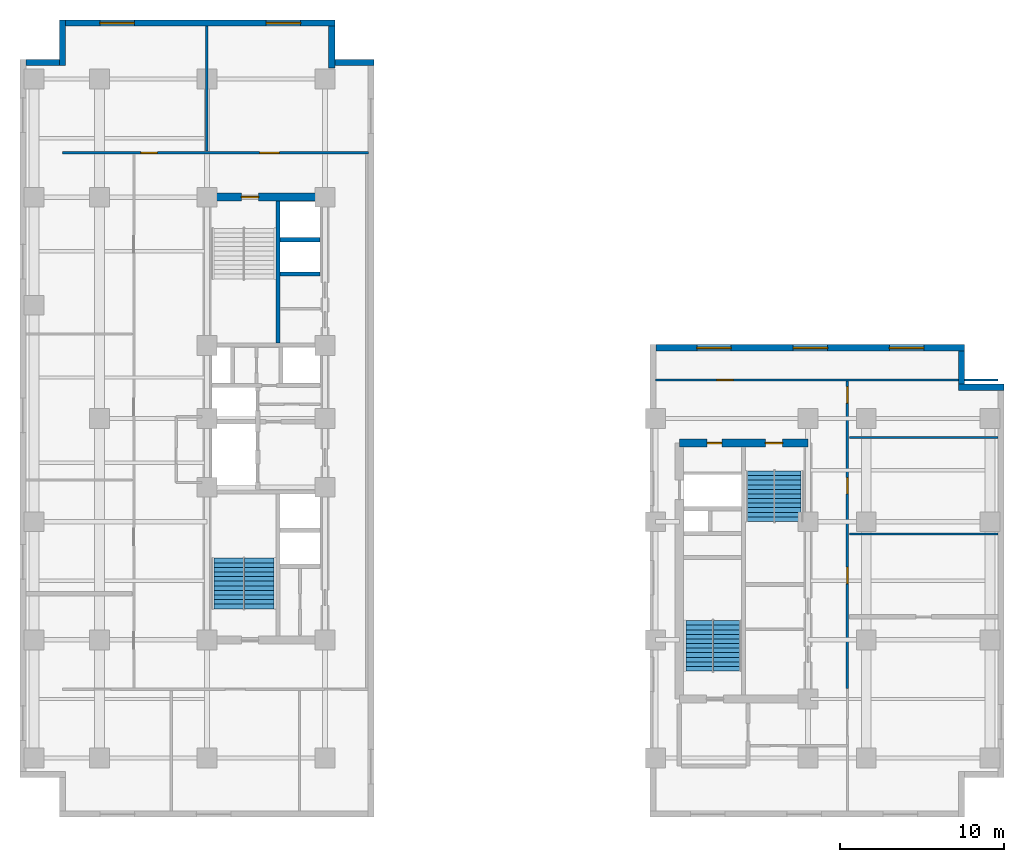
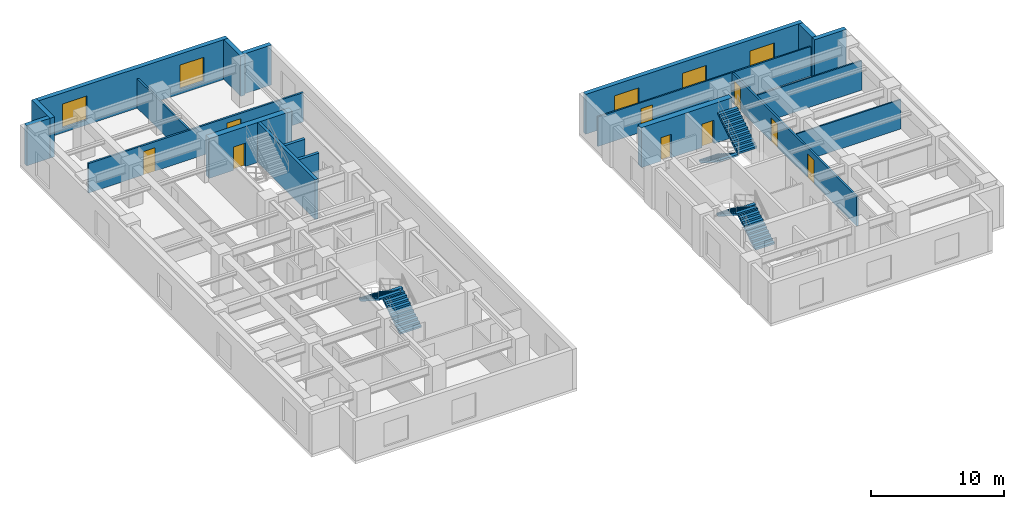
# One storey, part 5 of 9: 19 walls, 9 doors, 6 stair flights, 5 windows, 14 openings, 3 elements without a shape of their own.
"""IFC4 building model written with IfcOpenShell, lengths in metres."""

from ifc_helpers import new_model, entity, si_unit, converted_unit, direction, frame, origin_with_axes, origin_2d_with_axis, place, context, subcontext, project, spatial, polyline, rectangle, outline, extrude, material, layer, layer_set, type_object, element, fill, aggregate, save


model = new_model("IFC4")

# Units and contexts
model_context = context("Model", 3, precision=1e-05, world=origin_with_axes(), true_north=direction((0.0, 1.0)))
body_context = subcontext(model_context, "Body", "Model", "MODEL_VIEW")
ifc_project = project(units=[si_unit("LENGTHUNIT", "METRE"), si_unit("AREAUNIT", "SQUARE_METRE"), si_unit("VOLUMEUNIT", "CUBIC_METRE"), converted_unit("PLANEANGLEUNIT", "DEGREE", entity("IfcPlaneAngleMeasure", 0.017453292519943295), si_unit("PLANEANGLEUNIT", "RADIAN"), dimensions=[0, 0, 0, 0, 0, 0, 0]), si_unit("MASSUNIT", "GRAM", prefix="KILO"), si_unit("THERMODYNAMICTEMPERATUREUNIT", "KELVIN")], contexts=[model_context])

# Site, building, storey
site_placement = place(None, origin_with_axes())
site = spatial("IfcSite", under=ifc_project, at=site_placement, CompositionType="ELEMENT")
building_placement = place(site_placement, origin_with_axes())
building = spatial("IfcBuilding", under=site, at=building_placement, Name="Varnlund Millrace Tower", CompositionType="ELEMENT")
storey_placement = place(building_placement, frame((0.0, 0.0, 93.0), z_axis=(0.0, 0.0, 1.0), x_axis=(1.0, 0.0, 0.0)))
storey = spatial("IfcBuildingStorey", under=building, at=storey_placement, Name="L22", CompositionType="ELEMENT", Elevation=93.0)

# Wall, opening, door
ifc_material_1 = material(Name="Concrete C70/85", Category="concrete")
ifc_layer_1 = layer(ifc_material_1, 0.5, Name="Concrete C70/85")
ifc_layer_set_1 = layer_set([ifc_layer_1], Name="Concrete C70/85")
wall_type_1 = type_object("IfcWallType", Name="Type-CoreWall-Shear-500-C70", PredefinedType="SHEAR", material=ifc_layer_set_1)
wall_1_placement = place(storey_placement, frame((11.4, 37.8, 0.0), z_axis=(0.0, 0.0, 1.0), x_axis=(1.0, 0.0, 0.0)))
wall_1 = element("IfcWall", 1, at=wall_1_placement, inside=storey, type_object=wall_type_1, Name="Type-CoreWall-Shear-500-C70", PredefinedType="SHEAR", context=body_context, shape_type="SweptSolid", body=[
    extrude(outline(polyline([(0.0, -0.25), (7.2, -0.25), (7.2, 0.25), (0.0, 0.25), (0.0, -0.25)])), origin_with_axes(), (0.0, 0.0, 1.0), 3.66),
])
opening_1_placement = place(wall_1_placement, frame((2.625, 0.0, 0.0), z_axis=(0.0, 0.0, 1.0), x_axis=(1.0, 0.0, 0.0)))
opening_1 = element("IfcOpeningElement", 2, at=opening_1_placement, cuts=wall_1, Name="Opening L22:DR-STA2", PredefinedType="OPENING", context=body_context, shape_type="SweptSolid", body=[
    extrude(rectangle(XDim=1.05, YDim=0.52, at=origin_2d_with_axis()), origin_with_axes(), (0.0, 0.0, 1.0), 2.15),
])
ifc_material_2 = material(Name="Fire-rated hollow steel door", Category="steel")
door_type_1 = type_object("IfcDoorType", Name="Type-FireDoor-Stair-1050X2150", OperationType="NOTDEFINED", PredefinedType="DOOR", material=ifc_material_2)
door_1_placement = place(wall_1_placement, frame((2.625, 0.0, 0.0), z_axis=(0.0, 0.0, 1.0), x_axis=(1.0, 0.0, 0.0)))
door_1 = element("IfcDoor", 3, at=door_1_placement, inside=storey, type_object=door_type_1, Name="Type-FireDoor-Stair-1050X2150", OperationType="SINGLE_SWING_RIGHT", OverallHeight=2.15, OverallWidth=1.05, PredefinedType="DOOR", context=body_context, shape_type="SweptSolid", body=[
    extrude(rectangle(XDim=1.05, YDim=0.09, at=origin_2d_with_axis()), origin_with_axes(), (0.0, 0.0, 1.0), 2.15),
])
fill(opening_1, door_1)

# Wall, openings, doors
wall_2_placement = place(storey_placement, frame((40.2, 22.8, 0.0), z_axis=(0.0, 0.0, 1.0), x_axis=(1.0, 0.0, 0.0)))
wall_2 = element("IfcWall", 4, at=wall_2_placement, inside=storey, type_object=wall_type_1, Name="Type-CoreWall-Shear-500-C70", PredefinedType="SHEAR", context=body_context, shape_type="SweptSolid", body=[
    extrude(outline(polyline([(0.0, -0.25), (7.85, -0.25), (7.85, 0.25), (0.0, 0.25), (0.0, -0.25)])), origin_with_axes(), (0.0, 0.0, 1.0), 3.66),
])
opening_2_placement = place(wall_2_placement, frame((5.775, 0.0, 0.0), z_axis=(0.0, 0.0, 1.0), x_axis=(1.0, 0.0, 0.0)))
opening_2 = element("IfcOpeningElement", 5, at=opening_2_placement, cuts=wall_2, Name="Opening L22:DR-STB2", PredefinedType="OPENING", context=body_context, shape_type="SweptSolid", body=[
    extrude(rectangle(XDim=1.05, YDim=0.52, at=origin_2d_with_axis()), origin_with_axes(), (0.0, 0.0, 1.0), 2.15),
])
opening_3_placement = place(wall_2_placement, frame((2.15, 0.0, 0.0), z_axis=(0.0, 0.0, 1.0), x_axis=(1.0, 0.0, 0.0)))
opening_3 = element("IfcOpeningElement", 6, at=opening_3_placement, cuts=wall_2, Name="Opening L22:DR-CB-NW", PredefinedType="OPENING", context=body_context, shape_type="SweptSolid", body=[
    extrude(rectangle(XDim=0.9, YDim=0.52, at=origin_2d_with_axis()), origin_with_axes(), (0.0, 0.0, 1.0), 2.15),
])
ifc_material_3 = material(Name="Fire-rated hollow steel service closet door", Category="steel")
door_type_2 = type_object("IfcDoorType", Name="Type-FireDoor-Closet-900X2150", OperationType="NOTDEFINED", PredefinedType="DOOR", material=ifc_material_3)
door_2_placement = place(wall_2_placement, frame((2.15, 0.0, 0.0), z_axis=(0.0, 0.0, 1.0), x_axis=(1.0, 0.0, 0.0)))
door_2 = element("IfcDoor", 7, at=door_2_placement, inside=storey, type_object=door_type_2, Name="Type-FireDoor-Closet-900X2150", OperationType="SINGLE_SWING_LEFT", OverallHeight=2.15, OverallWidth=0.9, PredefinedType="DOOR", context=body_context, shape_type="SweptSolid", body=[
    extrude(rectangle(XDim=0.9, YDim=0.09, at=origin_2d_with_axis()), origin_with_axes(), (0.0, 0.0, 1.0), 2.15),
])
fill(opening_3, door_2)
door_3_placement = place(wall_2_placement, frame((5.775, 0.0, 0.0), z_axis=(0.0, 0.0, 1.0), x_axis=(1.0, 0.0, 0.0)))
door_3 = element("IfcDoor", 8, at=door_3_placement, inside=storey, type_object=door_type_1, Name="Type-FireDoor-Stair-1050X2150", OperationType="SINGLE_SWING_RIGHT", OverallHeight=2.15, OverallWidth=1.05, PredefinedType="DOOR", context=body_context, shape_type="SweptSolid", body=[
    extrude(rectangle(XDim=1.05, YDim=0.09, at=origin_2d_with_axis()), origin_with_axes(), (0.0, 0.0, 1.0), 2.15),
])
fill(opening_2, door_3)

# Walls
ifc_material_4 = material(Name="Precast concrete C50/60", Category="concrete")
ifc_layer_2 = layer(ifc_material_4, 0.38, Name="Precast concrete C50/60")
ifc_layer_set_2 = layer_set([ifc_layer_2], Name="Precast concrete C50/60")
wall_type_2 = type_object("IfcWallType", Name="Type-ExtWall-Precast-Tube-380", PredefinedType="SOLIDWALL", material=ifc_layer_set_2)
wall_3_placement = place(storey_placement, frame((0.38, 46.01, 0.0), z_axis=(0.0, 0.0, 1.0), x_axis=(1.0, 0.0, 0.0)))
element("IfcWall", 9, at=wall_3_placement, inside=storey, type_object=wall_type_2, Name="Type-ExtWall-Precast-Tube-380", PredefinedType="SOLIDWALL", context=body_context, shape_type="SweptSolid", body=[
    extrude(outline(polyline([(0.0, -0.19), (2.02, -0.19), (2.02, 0.19), (0.0, 0.19), (0.0, -0.19)])), origin_with_axes(), (0.0, 0.0, 1.0), 3.66),
])
wall_4_placement = place(storey_placement, frame((2.59, 45.82, 0.0), z_axis=(0.0, 0.0, 1.0), x_axis=(0.0, 1.0, 0.0)))
element("IfcWall", 10, at=wall_4_placement, inside=storey, type_object=wall_type_2, Name="Type-ExtWall-Precast-Tube-380", PredefinedType="SOLIDWALL", context=body_context, shape_type="SweptSolid", body=[
    extrude(outline(polyline([(0.0, -0.19), (2.78, -0.19), (2.78, 0.19), (0.0, 0.19), (0.0, -0.19)])), origin_with_axes(), (0.0, 0.0, 1.0), 3.66),
])

# Wall, openings, windows
wall_5_placement = place(storey_placement, frame((2.78, 48.41, 0.0), z_axis=(0.0, 0.0, 1.0), x_axis=(1.0, 0.0, 0.0)))
wall_5 = element("IfcWall", 11, at=wall_5_placement, inside=storey, type_object=wall_type_2, Name="Type-ExtWall-Precast-Tube-380", PredefinedType="SOLIDWALL", context=body_context, shape_type="SweptSolid", body=[
    extrude(outline(polyline([(0.0, -0.19), (16.42, -0.19), (16.42, 0.19), (0.0, 0.19), (0.0, -0.19)])), origin_with_axes(), (0.0, 0.0, 1.0), 3.66),
])
opening_4_placement = place(wall_5_placement, frame((3.137, 0.0, 0.45), z_axis=(0.0, 0.0, 1.0), x_axis=(1.0, 0.0, 0.0)))
opening_4 = element("IfcOpeningElement", 12, at=opening_4_placement, cuts=wall_5, Name="Opening L22:WN-06", PredefinedType="OPENING", context=body_context, shape_type="SweptSolid", body=[
    extrude(rectangle(XDim=2.1, YDim=0.4, at=origin_2d_with_axis()), origin_with_axes(), (0.0, 0.0, 1.0), 2.2),
])
opening_5_placement = place(wall_5_placement, frame((13.283, 0.0, 0.45), z_axis=(0.0, 0.0, 1.0), x_axis=(1.0, 0.0, 0.0)))
opening_5 = element("IfcOpeningElement", 13, at=opening_5_placement, cuts=wall_5, Name="Opening L22:WN-07", PredefinedType="OPENING", context=body_context, shape_type="SweptSolid", body=[
    extrude(rectangle(XDim=2.1, YDim=0.4, at=origin_2d_with_axis()), origin_with_axes(), (0.0, 0.0, 1.0), 2.2),
])
ifc_material_5 = material(Name="Argon low-e triple glazing in thermally broken bronze frame", Category="glass")
window_type = type_object("IfcWindowType", Name="Type-Window-Punched-2100X2200", PartitioningType="SINGLE_PANEL", PredefinedType="WINDOW", material=ifc_material_5)
window_1_placement = place(wall_5_placement, frame((3.137, 0.0, 0.45), z_axis=(0.0, 0.0, 1.0), x_axis=(1.0, 0.0, 0.0)))
window_1 = element("IfcWindow", 14, at=window_1_placement, inside=storey, type_object=window_type, Name="Type-Window-Punched-2100X2200", OverallHeight=2.2, OverallWidth=2.1, PredefinedType="WINDOW", context=body_context, shape_type="SweptSolid", body=[
    extrude(rectangle(XDim=2.1, YDim=0.09, at=origin_2d_with_axis()), origin_with_axes(), (0.0, 0.0, 1.0), 2.2),
])
fill(opening_4, window_1)
window_2_placement = place(wall_5_placement, frame((13.283, 0.0, 0.45), z_axis=(0.0, 0.0, 1.0), x_axis=(1.0, 0.0, 0.0)))
window_2 = element("IfcWindow", 15, at=window_2_placement, inside=storey, type_object=window_type, Name="Type-Window-Punched-2100X2200", OverallHeight=2.2, OverallWidth=2.1, PredefinedType="WINDOW", context=body_context, shape_type="SweptSolid", body=[
    extrude(rectangle(XDim=2.1, YDim=0.09, at=origin_2d_with_axis()), origin_with_axes(), (0.0, 0.0, 1.0), 2.2),
])
fill(opening_5, window_2)

# Walls
wall_6_placement = place(storey_placement, frame((19.01, 48.22, 0.0), z_axis=(0.0, 0.0, 1.0), x_axis=(0.0, -1.0, 0.0)))
element("IfcWall", 16, at=wall_6_placement, inside=storey, type_object=wall_type_2, Name="Type-ExtWall-Precast-Tube-380", PredefinedType="SOLIDWALL", context=body_context, shape_type="SweptSolid", body=[
    extrude(outline(polyline([(0.0, -0.19), (2.56, -0.19), (2.56, 0.19), (0.0, 0.19), (0.0, -0.19)])), origin_with_axes(), (0.0, 0.0, 1.0), 3.66),
])
wall_7_placement = place(storey_placement, frame((18.82, 46.01, 0.0), z_axis=(0.0, 0.0, 1.0), x_axis=(1.0, 0.0, 0.0)))
element("IfcWall", 17, at=wall_7_placement, inside=storey, type_object=wall_type_2, Name="Type-ExtWall-Precast-Tube-380", PredefinedType="SOLIDWALL", context=body_context, shape_type="SweptSolid", body=[
    extrude(outline(polyline([(0.0, -0.19), (2.78, -0.19), (2.78, 0.19), (0.0, 0.19), (0.0, -0.19)])), origin_with_axes(), (0.0, 0.0, 1.0), 3.66),
])

# Wall, openings, windows
wall_8_placement = place(storey_placement, frame((38.78, 28.61, 0.0), z_axis=(0.0, 0.0, 1.0), x_axis=(1.0, 0.0, 0.0)))
wall_8 = element("IfcWall", 18, at=wall_8_placement, inside=storey, type_object=wall_type_2, Name="Type-ExtWall-Precast-Tube-380", PredefinedType="SOLIDWALL", context=body_context, shape_type="SweptSolid", body=[
    extrude(outline(polyline([(0.0, -0.19), (18.82, -0.19), (18.82, 0.19), (0.0, 0.19), (0.0, -0.19)])), origin_with_axes(), (0.0, 0.0, 1.0), 3.66),
])
opening_6_placement = place(wall_8_placement, frame((3.537, 0.0, 0.45), z_axis=(0.0, 0.0, 1.0), x_axis=(1.0, 0.0, 0.0)))
opening_6 = element("IfcOpeningElement", 19, at=opening_6_placement, cuts=wall_8, Name="Opening L22:WN-12", PredefinedType="OPENING", context=body_context, shape_type="SweptSolid", body=[
    extrude(rectangle(XDim=2.1, YDim=0.4, at=origin_2d_with_axis()), origin_with_axes(), (0.0, 0.0, 1.0), 2.2),
])
opening_7_placement = place(wall_8_placement, frame((9.41, 0.0, 0.45), z_axis=(0.0, 0.0, 1.0), x_axis=(1.0, 0.0, 0.0)))
opening_7 = element("IfcOpeningElement", 20, at=opening_7_placement, cuts=wall_8, Name="Opening L22:WN-13", PredefinedType="OPENING", context=body_context, shape_type="SweptSolid", body=[
    extrude(rectangle(XDim=2.1, YDim=0.4, at=origin_2d_with_axis()), origin_with_axes(), (0.0, 0.0, 1.0), 2.2),
])
opening_8_placement = place(wall_8_placement, frame((15.283, 0.0, 0.45), z_axis=(0.0, 0.0, 1.0), x_axis=(1.0, 0.0, 0.0)))
opening_8 = element("IfcOpeningElement", 21, at=opening_8_placement, cuts=wall_8, Name="Opening L22:WN-14", PredefinedType="OPENING", context=body_context, shape_type="SweptSolid", body=[
    extrude(rectangle(XDim=2.1, YDim=0.4, at=origin_2d_with_axis()), origin_with_axes(), (0.0, 0.0, 1.0), 2.2),
])
window_3_placement = place(wall_8_placement, frame((3.537, 0.0, 0.45), z_axis=(0.0, 0.0, 1.0), x_axis=(1.0, 0.0, 0.0)))
window_3 = element("IfcWindow", 22, at=window_3_placement, inside=storey, type_object=window_type, Name="Type-Window-Punched-2100X2200", OverallHeight=2.2, OverallWidth=2.1, PredefinedType="WINDOW", context=body_context, shape_type="SweptSolid", body=[
    extrude(rectangle(XDim=2.1, YDim=0.09, at=origin_2d_with_axis()), origin_with_axes(), (0.0, 0.0, 1.0), 2.2),
])
fill(opening_6, window_3)
window_4_placement = place(wall_8_placement, frame((9.41, 0.0, 0.45), z_axis=(0.0, 0.0, 1.0), x_axis=(1.0, 0.0, 0.0)))
window_4 = element("IfcWindow", 23, at=window_4_placement, inside=storey, type_object=window_type, Name="Type-Window-Punched-2100X2200", OverallHeight=2.2, OverallWidth=2.1, PredefinedType="WINDOW", context=body_context, shape_type="SweptSolid", body=[
    extrude(rectangle(XDim=2.1, YDim=0.09, at=origin_2d_with_axis()), origin_with_axes(), (0.0, 0.0, 1.0), 2.2),
])
fill(opening_7, window_4)
window_5_placement = place(wall_8_placement, frame((15.283, 0.0, 0.45), z_axis=(0.0, 0.0, 1.0), x_axis=(1.0, 0.0, 0.0)))
window_5 = element("IfcWindow", 24, at=window_5_placement, inside=storey, type_object=window_type, Name="Type-Window-Punched-2100X2200", OverallHeight=2.2, OverallWidth=2.1, PredefinedType="WINDOW", context=body_context, shape_type="SweptSolid", body=[
    extrude(rectangle(XDim=2.1, YDim=0.09, at=origin_2d_with_axis()), origin_with_axes(), (0.0, 0.0, 1.0), 2.2),
])
fill(opening_8, window_5)

# Walls
wall_9_placement = place(storey_placement, frame((57.41, 28.42, 0.0), z_axis=(0.0, 0.0, 1.0), x_axis=(0.0, -1.0, 0.0)))
element("IfcWall", 25, at=wall_9_placement, inside=storey, type_object=wall_type_2, Name="Type-ExtWall-Precast-Tube-380", PredefinedType="SOLIDWALL", context=body_context, shape_type="SweptSolid", body=[
    extrude(outline(polyline([(0.0, -0.19), (2.02, -0.19), (2.02, 0.19), (0.0, 0.19), (0.0, -0.19)])), origin_with_axes(), (0.0, 0.0, 1.0), 3.66),
])
wall_10_placement = place(storey_placement, frame((57.22, 26.21, 0.0), z_axis=(0.0, 0.0, 1.0), x_axis=(1.0, 0.0, 0.0)))
element("IfcWall", 26, at=wall_10_placement, inside=storey, type_object=wall_type_2, Name="Type-ExtWall-Precast-Tube-380", PredefinedType="SOLIDWALL", context=body_context, shape_type="SweptSolid", body=[
    extrude(outline(polyline([(0.0, -0.19), (2.78, -0.19), (2.78, 0.19), (0.0, 0.19), (0.0, -0.19)])), origin_with_axes(), (0.0, 0.0, 1.0), 3.66),
])

# Wall, openings, doors
ifc_material_6 = material(Name="Fire-rated gypsum board on cold-formed steel framing", Category="steel")
ifc_layer_3 = layer(ifc_material_6, 0.16, Name="Fire-rated gypsum board on cold-formed steel framing")
ifc_layer_set_3 = layer_set([ifc_layer_3], Name="Fire-rated gypsum board on cold-formed steel framing")
wall_type_3 = type_object("IfcWallType", Name="Type-Partition-Corridor-160", PredefinedType="PARTITIONING", material=ifc_layer_set_3)
wall_11_placement = place(storey_placement, frame((2.6, 40.5, 0.0), z_axis=(0.0, 0.0, 1.0), x_axis=(1.0, 0.0, 0.0)))
wall_11 = element("IfcWall", 27, at=wall_11_placement, inside=storey, type_object=wall_type_3, Name="Type-Partition-Corridor-160", PredefinedType="PARTITIONING", context=body_context, shape_type="SweptSolid", body=[
    extrude(outline(polyline([(0.0, -0.08), (18.65, -0.08), (18.65, 0.08), (0.0, 0.08), (0.0, -0.08)])), origin_with_axes(), (0.0, 0.0, 1.0), 2.7),
])
opening_9_placement = place(wall_11_placement, frame((5.275, 0.0, 0.0), z_axis=(0.0, 0.0, 1.0), x_axis=(1.0, 0.0, 0.0)))
opening_9 = element("IfcOpeningElement", 28, at=opening_9_placement, cuts=wall_11, Name="Opening L22:DR-WAN-01", PredefinedType="OPENING", context=body_context, shape_type="SweptSolid", body=[
    extrude(rectangle(XDim=1.0, YDim=0.18, at=origin_2d_with_axis()), origin_with_axes(), (0.0, 0.0, 1.0), 2.15),
])
opening_10_placement = place(wall_11_placement, frame((12.61, 0.0, 0.0), z_axis=(0.0, 0.0, 1.0), x_axis=(1.0, 0.0, 0.0)))
opening_10 = element("IfcOpeningElement", 29, at=opening_10_placement, cuts=wall_11, Name="Opening L22:DR-WAN-02", PredefinedType="OPENING", context=body_context, shape_type="SweptSolid", body=[
    extrude(rectangle(XDim=1.2, YDim=0.18, at=origin_2d_with_axis()), origin_with_axes(), (0.0, 0.0, 1.0), 2.2),
])
ifc_material_7 = material(Name="Wide executive white oak acoustic door")
door_type_3 = type_object("IfcDoorType", Name="Type-IntDoor-Exec-1200X2200", OperationType="NOTDEFINED", PredefinedType="DOOR", material=ifc_material_7)
door_4_placement = place(wall_11_placement, frame((12.61, 0.0, 0.0), z_axis=(0.0, 0.0, 1.0), x_axis=(1.0, 0.0, 0.0)))
door_4 = element("IfcDoor", 30, at=door_4_placement, inside=storey, type_object=door_type_3, Name="Type-IntDoor-Exec-1200X2200", OperationType="SINGLE_SWING_RIGHT", OverallHeight=2.2, OverallWidth=1.2, PredefinedType="DOOR", context=body_context, shape_type="SweptSolid", body=[
    extrude(rectangle(XDim=1.2, YDim=0.09, at=origin_2d_with_axis()), origin_with_axes(), (0.0, 0.0, 1.0), 2.2),
])
fill(opening_10, door_4)
ifc_material_8 = material(Name="Solid-core white oak and bronze frame door")
door_type_4 = type_object("IfcDoorType", Name="Type-IntDoor-Office-1000X2150", OperationType="NOTDEFINED", PredefinedType="DOOR", material=ifc_material_8)
door_5_placement = place(wall_11_placement, frame((5.275, 0.0, 0.0), z_axis=(0.0, 0.0, 1.0), x_axis=(1.0, 0.0, 0.0)))
door_5 = element("IfcDoor", 31, at=door_5_placement, inside=storey, type_object=door_type_4, Name="Type-IntDoor-Office-1000X2150", OperationType="SINGLE_SWING_LEFT", OverallHeight=2.15, OverallWidth=1.0, PredefinedType="DOOR", context=body_context, shape_type="SweptSolid", body=[
    extrude(rectangle(XDim=1.0, YDim=0.09, at=origin_2d_with_axis()), origin_with_axes(), (0.0, 0.0, 1.0), 2.15),
])
fill(opening_9, door_5)

wall_12_placement = place(storey_placement, frame((50.45, 7.85, 0.0), z_axis=(0.0, 0.0, 1.0), x_axis=(0.0, 1.0, 0.0)))
wall_12 = element("IfcWall", 32, at=wall_12_placement, inside=storey, type_object=wall_type_3, Name="Type-Partition-Corridor-160", PredefinedType="PARTITIONING", context=body_context, shape_type="SweptSolid", body=[
    extrude(outline(polyline([(0.0, -0.08), (18.8, -0.08), (18.8, 0.08), (0.0, 0.08), (0.0, -0.08)])), origin_with_axes(), (0.0, 0.0, 1.0), 2.7),
])
opening_11_placement = place(wall_12_placement, frame((6.8875, 0.0, 0.0), z_axis=(0.0, 0.0, 1.0), x_axis=(1.0, 0.0, 0.0)))
opening_11 = element("IfcOpeningElement", 33, at=opening_11_placement, cuts=wall_12, Name="Opening L22:DR-WB-02", PredefinedType="OPENING", context=body_context, shape_type="SweptSolid", body=[
    extrude(rectangle(XDim=1.0, YDim=0.18, at=origin_2d_with_axis()), origin_with_axes(), (0.0, 0.0, 1.0), 2.15),
])
opening_12_placement = place(wall_12_placement, frame((12.353, 0.0, 0.0), z_axis=(0.0, 0.0, 1.0), x_axis=(1.0, 0.0, 0.0)))
opening_12 = element("IfcOpeningElement", 34, at=opening_12_placement, cuts=wall_12, Name="Opening L22:DR-WB-03", PredefinedType="OPENING", context=body_context, shape_type="SweptSolid", body=[
    extrude(rectangle(XDim=1.0, YDim=0.18, at=origin_2d_with_axis()), origin_with_axes(), (0.0, 0.0, 1.0), 2.15),
])
opening_13_placement = place(wall_12_placement, frame((17.895, 0.0, 0.0), z_axis=(0.0, 0.0, 1.0), x_axis=(1.0, 0.0, 0.0)))
opening_13 = element("IfcOpeningElement", 35, at=opening_13_placement, cuts=wall_12, Name="Opening L22:DR-WB-04", PredefinedType="OPENING", context=body_context, shape_type="SweptSolid", body=[
    extrude(rectangle(XDim=1.0, YDim=0.18, at=origin_2d_with_axis()), origin_with_axes(), (0.0, 0.0, 1.0), 2.15),
])
door_6_placement = place(wall_12_placement, frame((6.8875, 0.0, 0.0), z_axis=(0.0, 0.0, 1.0), x_axis=(1.0, 0.0, 0.0)))
door_6 = element("IfcDoor", 36, at=door_6_placement, inside=storey, type_object=door_type_4, Name="Type-IntDoor-Office-1000X2150", OperationType="SINGLE_SWING_RIGHT", OverallHeight=2.15, OverallWidth=1.0, PredefinedType="DOOR", context=body_context, shape_type="SweptSolid", body=[
    extrude(rectangle(XDim=1.0, YDim=0.09, at=origin_2d_with_axis()), origin_with_axes(), (0.0, 0.0, 1.0), 2.15),
])
fill(opening_11, door_6)
door_7_placement = place(wall_12_placement, frame((12.353, 0.0, 0.0), z_axis=(0.0, 0.0, 1.0), x_axis=(1.0, 0.0, 0.0)))
door_7 = element("IfcDoor", 37, at=door_7_placement, inside=storey, type_object=door_type_4, Name="Type-IntDoor-Office-1000X2150", OperationType="SINGLE_SWING_LEFT", OverallHeight=2.15, OverallWidth=1.0, PredefinedType="DOOR", context=body_context, shape_type="SweptSolid", body=[
    extrude(rectangle(XDim=1.0, YDim=0.09, at=origin_2d_with_axis()), origin_with_axes(), (0.0, 0.0, 1.0), 2.15),
])
fill(opening_12, door_7)
door_8_placement = place(wall_12_placement, frame((17.895, 0.0, 0.0), z_axis=(0.0, 0.0, 1.0), x_axis=(1.0, 0.0, 0.0)))
door_8 = element("IfcDoor", 38, at=door_8_placement, inside=storey, type_object=door_type_4, Name="Type-IntDoor-Office-1000X2150", OperationType="SINGLE_SWING_RIGHT", OverallHeight=2.15, OverallWidth=1.0, PredefinedType="DOOR", context=body_context, shape_type="SweptSolid", body=[
    extrude(rectangle(XDim=1.0, YDim=0.09, at=origin_2d_with_axis()), origin_with_axes(), (0.0, 0.0, 1.0), 2.15),
])
fill(opening_13, door_8)

# Wall
ifc_material_9 = material(Name="Acoustic STC-50 gypsum board partition", Category="gypsum")
ifc_layer_4 = layer(ifc_material_9, 0.15, Name="Acoustic STC-50 gypsum board partition")
ifc_layer_set_4 = layer_set([ifc_layer_4], Name="Acoustic STC-50 gypsum board partition")
wall_type_4 = type_object("IfcWallType", Name="Type-Partition-Demising-150", PredefinedType="PARTITIONING", material=ifc_layer_set_4)
wall_13_placement = place(storey_placement, frame((11.4, 40.6, 0.0), z_axis=(0.0, 0.0, 1.0), x_axis=(0.0, 1.0, 0.0)))
element("IfcWall", 39, at=wall_13_placement, inside=storey, type_object=wall_type_4, Name="Type-Partition-Demising-150", PredefinedType="PARTITIONING", context=body_context, shape_type="SweptSolid", body=[
    extrude(outline(polyline([(0.0, -0.075), (7.64, -0.075), (7.64, 0.075), (0.0, 0.075), (0.0, -0.075)])), origin_with_axes(), (0.0, 0.0, 1.0), 2.7),
])

# Wall, opening, door
ifc_material_10 = material(Name="Gypsum board tenant partition", Category="gypsum")
ifc_layer_5 = layer(ifc_material_10, 0.125, Name="Gypsum board tenant partition")
ifc_layer_set_5 = layer_set([ifc_layer_5], Name="Gypsum board tenant partition")
wall_type_5 = type_object("IfcWallType", Name="Type-Partition-Tenant-125", PredefinedType="PARTITIONING", material=ifc_layer_set_5)
wall_14_placement = place(storey_placement, frame((38.76, 26.65, 0.0), z_axis=(0.0, 0.0, 1.0), x_axis=(1.0, 0.0, 0.0)))
wall_14 = element("IfcWall", 40, at=wall_14_placement, inside=storey, type_object=wall_type_5, Name="Type-Partition-Tenant-125", PredefinedType="PARTITIONING", context=body_context, shape_type="SweptSolid", body=[
    extrude(outline(polyline([(0.0, -0.0625), (20.88, -0.0625), (20.88, 0.0625), (0.0, 0.0625), (0.0, -0.0625)])), origin_with_axes(), (0.0, 0.0, 1.0), 2.7),
])
opening_14_placement = place(wall_14_placement, frame((4.24, 0.0, 0.0), z_axis=(0.0, 0.0, 1.0), x_axis=(1.0, 0.0, 0.0)))
opening_14 = element("IfcOpeningElement", 41, at=opening_14_placement, cuts=wall_14, Name="Opening L22:DR-WBN-01", PredefinedType="OPENING", context=body_context, shape_type="SweptSolid", body=[
    extrude(rectangle(XDim=1.0, YDim=0.145, at=origin_2d_with_axis()), origin_with_axes(), (0.0, 0.0, 1.0), 2.15),
])
door_9_placement = place(wall_14_placement, frame((4.24, 0.0, 0.0), z_axis=(0.0, 0.0, 1.0), x_axis=(1.0, 0.0, 0.0)))
door_9 = element("IfcDoor", 42, at=door_9_placement, inside=storey, type_object=door_type_4, Name="Type-IntDoor-Office-1000X2150", OperationType="SINGLE_SWING_RIGHT", OverallHeight=2.15, OverallWidth=1.0, PredefinedType="DOOR", context=body_context, shape_type="SweptSolid", body=[
    extrude(rectangle(XDim=1.0, YDim=0.075, at=origin_2d_with_axis()), origin_with_axes(), (0.0, 0.0, 1.0), 2.15),
])
fill(opening_14, door_9)

# Walls
for number, where, z_axis, x_axis, name in (
    (43, (50.57, 17.266, 0.0), (0.0, 0.0, 1.0), (1.0, 0.0, 0.0), "Type-Partition-Tenant-125"),
    (44, (50.57, 23.14, 0.0), (0.0, 0.0, 1.0), (1.0, 0.0, 0.0), "Type-Partition-Tenant-125"),
):
    element("IfcWall", number, at=place(storey_placement, frame(where, z_axis=z_axis, x_axis=x_axis)), inside=storey, type_object=wall_type_5, Name=name, PredefinedType="PARTITIONING", context=body_context, shape_type="SweptSolid", body=[
        extrude(outline(polyline([(0.0, -0.0625), (9.055, -0.0625), (9.055, 0.0625), (0.0, 0.0625), (0.0, -0.0625)])), origin_with_axes(), (0.0, 0.0, 1.0), 2.7),
    ])
ifc_material_11 = material(Name="Concrete C60/75", Category="concrete")
ifc_layer_6 = layer(ifc_material_11, 0.25, Name="Concrete C60/75")
ifc_layer_set_6 = layer_set([ifc_layer_6], Name="Concrete C60/75")
wall_type_6 = type_object("IfcWallType", Name="Type-ShaftWall-Fire-250", PredefinedType="SOLIDWALL", material=ifc_layer_set_6)
for number, where, z_axis, x_axis, name in (
    (45, (15.84, 33.1, 0.0), (0.0, 0.0, 1.0), (1.0, 0.0, 0.0), "Type-ShaftWall-Fire-250"),
    (46, (15.84, 35.2, 0.0), (0.0, 0.0, 1.0), (1.0, 0.0, 0.0), "Type-ShaftWall-Fire-250"),
):
    element("IfcWall", number, at=place(storey_placement, frame(where, z_axis=z_axis, x_axis=x_axis)), inside=storey, type_object=wall_type_6, Name=name, PredefinedType="SOLIDWALL", context=body_context, shape_type="SweptSolid", body=[
        extrude(outline(polyline([(0.0, -0.125), (2.46, -0.125), (2.46, 0.125), (0.0, 0.125), (0.0, -0.125)])), origin_with_axes(), (0.0, 0.0, 1.0), 2.7),
    ])
wall_type_7 = type_object("IfcWallType", Name="Type-StairWall-Shear-250", PredefinedType="SHEAR", material=ifc_layer_set_6)
wall_15_placement = place(storey_placement, frame((15.725, 28.9, 0.0), z_axis=(0.0, 0.0, 1.0), x_axis=(0.0, 1.0, 0.0)))
element("IfcWall", 47, at=wall_15_placement, inside=storey, type_object=wall_type_7, Name="Type-StairWall-Shear-250", PredefinedType="SHEAR", context=body_context, shape_type="SweptSolid", body=[
    extrude(outline(polyline([(0.0, -0.125), (8.65, -0.125), (8.65, 0.125), (0.0, 0.125), (0.0, -0.125)])), origin_with_axes(), (0.0, 0.0, 1.0), 3.66),
])

# Stair, stair flights
ifc_material_12 = material(Name="Concrete C50/60", Category="concrete")
stair_type_1 = type_object("IfcStairType", Name="Type-Stair-Dogleg-165-390", PredefinedType="HALF_TURN_STAIR", material=ifc_material_12)
stair_1_placement = place(storey_placement, origin_with_axes())
stair_1 = element("IfcStair", 48, at=stair_1_placement, inside=storey, type_object=stair_type_1, Name="Type-Stair-Dogleg-165-390", PredefinedType="HALF_TURN_STAIR")
stair_flight_type_1 = type_object("IfcStairFlightType", Name="Type-Dogleg-Run-165-390", PredefinedType="STRAIGHT", material=ifc_material_4)
stair_flight_1_placement = place(storey_placement, frame((42.225, 8.9, 0.0), z_axis=(1.0, 0.0, 0.0), x_axis=(0.0, 1.0, 0.0)))
stair_flight_1 = element("IfcStairFlight", 49, at=stair_flight_1_placement, type_object=stair_flight_type_1, Name="ST-B1 flight 1", NumberOfRisers=11, NumberOfTreads=11, PredefinedType="STRAIGHT", RiserHeight=0.177273, TreadLength=0.28, context=body_context, shape_type="SweptSolid", body=[
    extrude(outline(polyline([(0.0, 0.0), (0.0, 0.177273), (0.28, 0.177273), (0.28, 0.354545), (0.56, 0.354545), (0.56, 0.531818), (0.84, 0.531818), (0.84, 0.709091), (1.12, 0.709091), (1.12, 0.886364), (1.4, 0.886364), (1.4, 1.063636), (1.68, 1.063636), (1.68, 1.240909), (1.96, 1.240909), (1.96, 1.418182), (2.24, 1.418182), (2.24, 1.595454), (2.52, 1.595454), (2.52, 1.772727), (2.8, 1.772727), (2.8, 1.95), (3.08, 1.95), (3.08, 1.8), (0.28, 0.0), (0.0, 0.0)])), origin_with_axes(), (0.0, 0.0, 1.0), 1.65),
])
stair_flight_2_placement = place(storey_placement, frame((42.275, 11.98, 1.95), z_axis=(-1.0, 0.0, 0.0), x_axis=(0.0, -1.0, 0.0)))
stair_flight_2 = element("IfcStairFlight", 50, at=stair_flight_2_placement, type_object=stair_flight_type_1, Name="ST-B1 flight 2", NumberOfRisers=11, NumberOfTreads=11, PredefinedType="STRAIGHT", RiserHeight=0.177273, TreadLength=0.28, context=body_context, shape_type="SweptSolid", body=[
    extrude(outline(polyline([(0.0, 0.0), (0.0, 0.177273), (0.28, 0.177273), (0.28, 0.354545), (0.56, 0.354545), (0.56, 0.531818), (0.84, 0.531818), (0.84, 0.709091), (1.12, 0.709091), (1.12, 0.886364), (1.4, 0.886364), (1.4, 1.063636), (1.68, 1.063636), (1.68, 1.240909), (1.96, 1.240909), (1.96, 1.418182), (2.24, 1.418182), (2.24, 1.595454), (2.52, 1.595454), (2.52, 1.772727), (2.8, 1.772727), (2.8, 1.95), (3.08, 1.95), (3.08, 1.8), (0.28, 0.0), (0.0, 0.0)])), origin_with_axes(), (0.0, 0.0, 1.0), 1.65),
])
aggregate(stair_1, [stair_flight_1, stair_flight_2])

stair_2_placement = place(storey_placement, origin_with_axes())
stair_2 = element("IfcStair", 51, at=stair_2_placement, inside=storey, type_object=stair_type_1, Name="Type-Stair-Dogleg-165-390", PredefinedType="HALF_TURN_STAIR")
stair_flight_3_placement = place(storey_placement, frame((46.025, 21.1, 0.0), z_axis=(-1.0, 0.0, 0.0), x_axis=(0.0, -1.0, 0.0)))
stair_flight_3 = element("IfcStairFlight", 52, at=stair_flight_3_placement, type_object=stair_flight_type_1, Name="ST-B2 flight 1", NumberOfRisers=11, NumberOfTreads=11, PredefinedType="STRAIGHT", RiserHeight=0.177273, TreadLength=0.28, context=body_context, shape_type="SweptSolid", body=[
    extrude(outline(polyline([(0.0, 0.0), (0.0, 0.177273), (0.28, 0.177273), (0.28, 0.354545), (0.56, 0.354545), (0.56, 0.531818), (0.84, 0.531818), (0.84, 0.709091), (1.12, 0.709091), (1.12, 0.886364), (1.4, 0.886364), (1.4, 1.063636), (1.68, 1.063636), (1.68, 1.240909), (1.96, 1.240909), (1.96, 1.418182), (2.24, 1.418182), (2.24, 1.595454), (2.52, 1.595454), (2.52, 1.772727), (2.8, 1.772727), (2.8, 1.95), (3.08, 1.95), (3.08, 1.8), (0.28, 0.0), (0.0, 0.0)])), origin_with_axes(), (0.0, 0.0, 1.0), 1.65),
])
stair_flight_4_placement = place(storey_placement, frame((45.975, 18.02, 1.95), z_axis=(1.0, 0.0, 0.0), x_axis=(0.0, 1.0, 0.0)))
stair_flight_4 = element("IfcStairFlight", 53, at=stair_flight_4_placement, type_object=stair_flight_type_1, Name="ST-B2 flight 2", NumberOfRisers=11, NumberOfTreads=11, PredefinedType="STRAIGHT", RiserHeight=0.177273, TreadLength=0.28, context=body_context, shape_type="SweptSolid", body=[
    extrude(outline(polyline([(0.0, 0.0), (0.0, 0.177273), (0.28, 0.177273), (0.28, 0.354545), (0.56, 0.354545), (0.56, 0.531818), (0.84, 0.531818), (0.84, 0.709091), (1.12, 0.709091), (1.12, 0.886364), (1.4, 0.886364), (1.4, 1.063636), (1.68, 1.063636), (1.68, 1.240909), (1.96, 1.240909), (1.96, 1.418182), (2.24, 1.418182), (2.24, 1.595454), (2.52, 1.595454), (2.52, 1.772727), (2.8, 1.772727), (2.8, 1.95), (3.08, 1.95), (3.08, 1.8), (0.28, 0.0), (0.0, 0.0)])), origin_with_axes(), (0.0, 0.0, 1.0), 1.65),
])
aggregate(stair_2, [stair_flight_3, stair_flight_4])

stair_type_2 = type_object("IfcStairType", Name="Type-Stair-Dogleg-185-390", PredefinedType="HALF_TURN_STAIR", material=ifc_material_12)
stair_3_placement = place(storey_placement, origin_with_axes())
stair_3 = element("IfcStair", 54, at=stair_3_placement, inside=storey, type_object=stair_type_2, Name="Type-Stair-Dogleg-185-390", PredefinedType="HALF_TURN_STAIR")
stair_flight_type_2 = type_object("IfcStairFlightType", Name="Type-Dogleg-Run-185-390", PredefinedType="STRAIGHT", material=ifc_material_4)
stair_flight_5_placement = place(storey_placement, frame((13.625, 12.7, 0.0), z_axis=(1.0, 0.0, 0.0), x_axis=(0.0, 1.0, 0.0)))
stair_flight_5 = element("IfcStairFlight", 55, at=stair_flight_5_placement, type_object=stair_flight_type_2, Name="ST-A1 flight 1", NumberOfRisers=11, NumberOfTreads=11, PredefinedType="STRAIGHT", RiserHeight=0.177273, TreadLength=0.28, context=body_context, shape_type="SweptSolid", body=[
    extrude(outline(polyline([(0.0, 0.0), (0.0, 0.177273), (0.28, 0.177273), (0.28, 0.354545), (0.56, 0.354545), (0.56, 0.531818), (0.84, 0.531818), (0.84, 0.709091), (1.12, 0.709091), (1.12, 0.886364), (1.4, 0.886364), (1.4, 1.063636), (1.68, 1.063636), (1.68, 1.240909), (1.96, 1.240909), (1.96, 1.418182), (2.24, 1.418182), (2.24, 1.595454), (2.52, 1.595454), (2.52, 1.772727), (2.8, 1.772727), (2.8, 1.95), (3.08, 1.95), (3.08, 1.8), (0.28, 0.0), (0.0, 0.0)])), origin_with_axes(), (0.0, 0.0, 1.0), 1.85),
])
stair_flight_6_placement = place(storey_placement, frame((13.675, 15.78, 1.95), z_axis=(-1.0, 0.0, 0.0), x_axis=(0.0, -1.0, 0.0)))
stair_flight_6 = element("IfcStairFlight", 56, at=stair_flight_6_placement, type_object=stair_flight_type_2, Name="ST-A1 flight 2", NumberOfRisers=11, NumberOfTreads=11, PredefinedType="STRAIGHT", RiserHeight=0.177273, TreadLength=0.28, context=body_context, shape_type="SweptSolid", body=[
    extrude(outline(polyline([(0.0, 0.0), (0.0, 0.177273), (0.28, 0.177273), (0.28, 0.354545), (0.56, 0.354545), (0.56, 0.531818), (0.84, 0.531818), (0.84, 0.709091), (1.12, 0.709091), (1.12, 0.886364), (1.4, 0.886364), (1.4, 1.063636), (1.68, 1.063636), (1.68, 1.240909), (1.96, 1.240909), (1.96, 1.418182), (2.24, 1.418182), (2.24, 1.595454), (2.52, 1.595454), (2.52, 1.772727), (2.8, 1.772727), (2.8, 1.95), (3.08, 1.95), (3.08, 1.8), (0.28, 0.0), (0.0, 0.0)])), origin_with_axes(), (0.0, 0.0, 1.0), 1.85),
])
aggregate(stair_3, [stair_flight_5, stair_flight_6])

save(model, "model.ifc")
